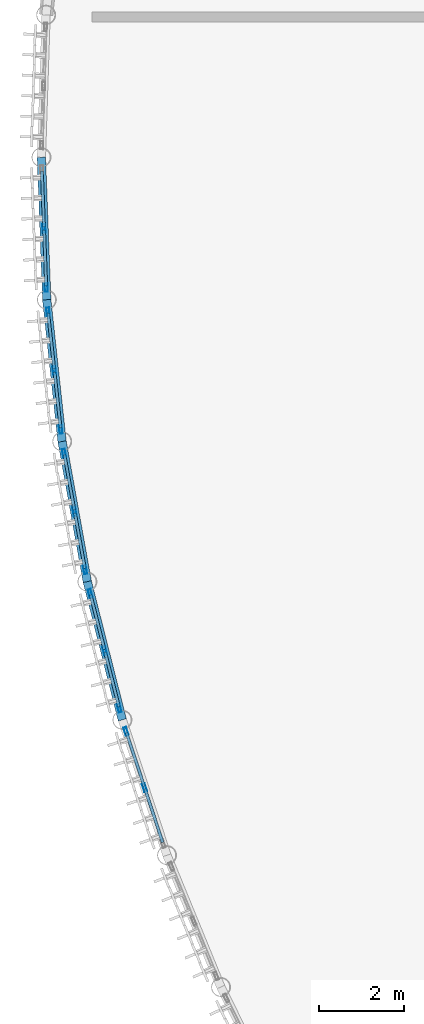
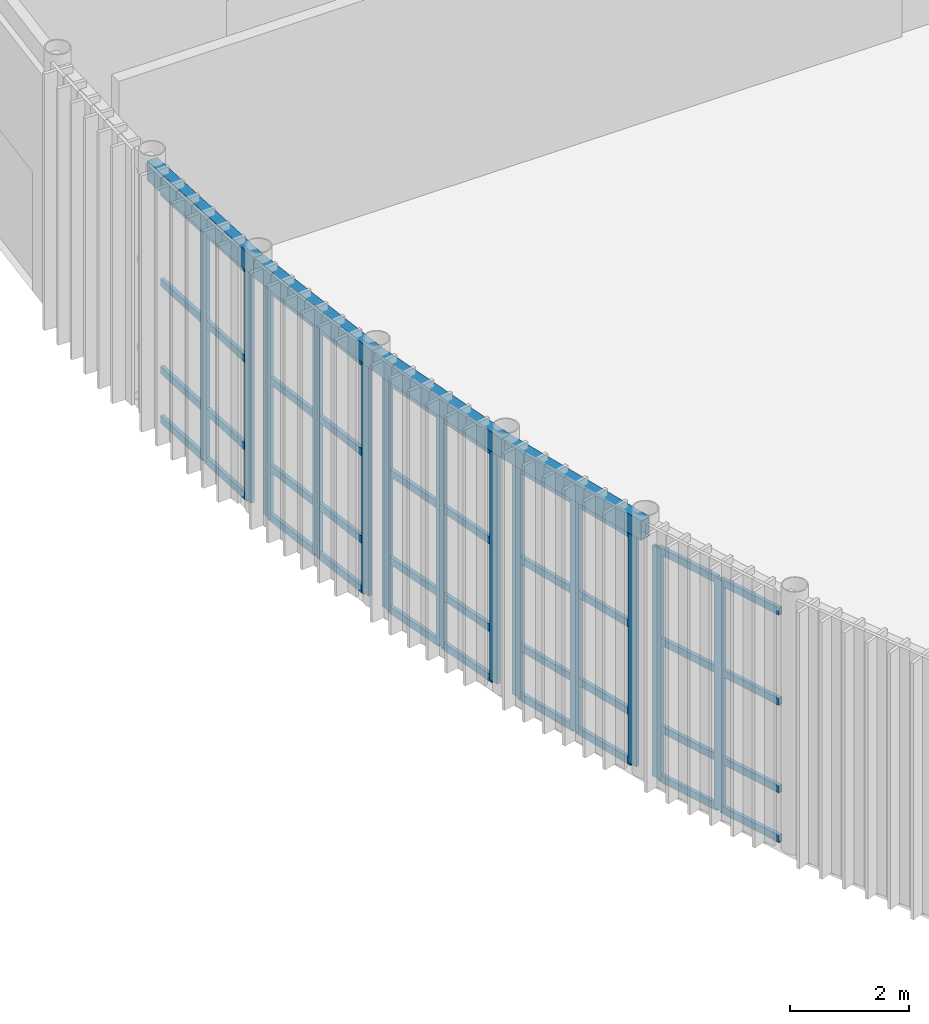
# One storey, part 31 of 87: 53 members, 4 beams, 5 elements without a shape of their own.
"""IFC4 building model written with IfcOpenShell, lengths in metres."""

from ifc_helpers import new_model, si_unit, direction, frame, origin, origin_2d, place, context, subcontext, project, spatial, hollow_rectangle, extrude, material, layer, layer_set, material_profile, profile_set, type_object, element, aggregate, save


model = new_model("IFC4")

# Units and contexts
model_context = context("Model", 3, precision=1e-05, world=origin(), true_north=direction((0.0, 1.0)))
body_context = subcontext(model_context, "Body", "Model", "MODEL_VIEW")
ifc_project = project(units=[si_unit("LENGTHUNIT", "METRE"), si_unit("AREAUNIT", "SQUARE_METRE"), si_unit("VOLUMEUNIT", "CUBIC_METRE"), si_unit("PLANEANGLEUNIT", "RADIAN"), si_unit("MASSUNIT", "GRAM", prefix="KILO")], contexts=[model_context])

# Site, building, storey
site_placement = place(None, origin())
site = spatial("IfcSite", under=ifc_project, at=site_placement, CompositionType="ELEMENT")
building_placement = place(site_placement, origin())
building = spatial("IfcBuilding", under=site, at=building_placement, Name="Selat Folded Stagehouse", CompositionType="ELEMENT")
storey_placement = place(building_placement, origin())
storey = spatial("IfcBuildingStorey", under=building, at=storey_placement, Name="L00", CompositionType="ELEMENT", Elevation=0.0)

# Curtain wall, members
ifc_material_1 = material(Name="Aluminium 6063-T6", Category="aluminium")
ifc_layer = layer(ifc_material_1, 0.219970703125)
ifc_layer_set = layer_set([ifc_layer], Name="Aluminium 6063-T6")
curtain_wall_type = type_object("IfcCurtainWallType", Name="CW-DRM-HIGH", PredefinedType="NOTDEFINED", material=ifc_layer_set)
curtain_wall_1_placement = place(storey_placement, origin())
curtain_wall_1 = element("IfcCurtainWall", 1, at=curtain_wall_1_placement, inside=storey, type_object=curtain_wall_type, Name="L00 curtain wall CW-DRM-L00-02", PredefinedType="NOTDEFINED")
ifc_material_profile_1 = material_profile(ifc_material_1, hollow_rectangle(XDim=0.070068359375, YDim=0.199951171875, WallThickness=0.0048828125, at=origin_2d()), Name="ALU 200x70x5.0")
ifc_profile_set_1 = profile_set([ifc_material_profile_1], Name="Aluminium 6063-T6")
member_type_1 = type_object("IfcMemberType", Name="CWM-MUL-200x70", PredefinedType="MULLION", material=ifc_profile_set_1)
member_1_placement = place(storey_placement, frame((0.115966796875, 44.7998046875, 0.0), z_axis=(0.0, 0.0, 1.0), x_axis=(-0.999293858167, -0.037573727908, 0.0)))
member_1 = element("IfcMember", 2, at=member_1_placement, type_object=member_type_1, Name="CW-01 mullion 1", PredefinedType="MULLION", context=body_context, shape_type="SweptSolid", body=[
    extrude(hollow_rectangle(XDim=0.070068359375, YDim=0.199951171875, WallThickness=0.0048828125, at=origin_2d()), origin(), (0.0, 0.0, 1.0), 4.739990234375),
])
member_2_placement = place(storey_placement, frame((0.0634765625, 46.1982421875, 0.0), z_axis=(0.0, 0.0, 1.0), x_axis=(-0.999293858167, -0.037573727908, 0.0)))
member_2 = element("IfcMember", 3, at=member_2_placement, type_object=member_type_1, Name="CW-01 mullion 2", PredefinedType="MULLION", context=body_context, shape_type="SweptSolid", body=[
    extrude(hollow_rectangle(XDim=0.070068359375, YDim=0.199951171875, WallThickness=0.0048828125, at=origin_2d()), origin(), (0.0, 0.0, 1.0), 4.739990234375),
])

curtain_wall_2_placement = place(storey_placement, origin())
curtain_wall_2 = element("IfcCurtainWall", 4, at=curtain_wall_2_placement, inside=storey, type_object=curtain_wall_type, Name="L00 curtain wall CW-DRM-L00-03", PredefinedType="NOTDEFINED")
member_3_placement = place(storey_placement, frame((0.45849609375, 41.44873046875, 0.0), z_axis=(0.0, 0.0, 1.0), x_axis=(-0.994198790497, -0.107558193428, 0.0)))
member_3 = element("IfcMember", 5, at=member_3_placement, type_object=member_type_1, Name="CW-01 mullion 1", PredefinedType="MULLION", context=body_context, shape_type="SweptSolid", body=[
    extrude(hollow_rectangle(XDim=0.070068359375, YDim=0.199951171875, WallThickness=0.0048828125, at=origin_2d()), origin(), (0.0, 0.0, 1.0), 4.739990234375),
])
member_4_placement = place(storey_placement, frame((0.307861328125, 42.84033203125, 0.0), z_axis=(0.0, 0.0, 1.0), x_axis=(-0.994198790497, -0.107558193428, 0.0)))
member_4 = element("IfcMember", 6, at=member_4_placement, type_object=member_type_1, Name="CW-01 mullion 2", PredefinedType="MULLION", context=body_context, shape_type="SweptSolid", body=[
    extrude(hollow_rectangle(XDim=0.070068359375, YDim=0.199951171875, WallThickness=0.0048828125, at=origin_2d()), origin(), (0.0, 0.0, 1.0), 4.739990234375),
])
member_5_placement = place(storey_placement, frame((0.157470703125, 44.231689453125, 0.0), z_axis=(0.0, 0.0, 1.0), x_axis=(-0.994198790497, -0.107558193428, 0.0)))
member_5 = element("IfcMember", 7, at=member_5_placement, type_object=member_type_1, Name="CW-01 mullion 3", PredefinedType="MULLION", context=body_context, shape_type="SweptSolid", body=[
    extrude(hollow_rectangle(XDim=0.070068359375, YDim=0.199951171875, WallThickness=0.0048828125, at=origin_2d()), origin(), (0.0, 0.0, 1.0), 4.739990234375),
])

curtain_wall_3_placement = place(storey_placement, origin())
curtain_wall_3 = element("IfcCurtainWall", 8, at=curtain_wall_3_placement, inside=storey, type_object=curtain_wall_type, Name="L00 curtain wall CW-DRM-L00-04", PredefinedType="NOTDEFINED")
member_6_placement = place(storey_placement, frame((1.034912109375, 38.130126953125, 0.0), z_axis=(0.0, 0.0, 1.0), x_axis=(-0.984210538572, -0.177001739435, 0.0)))
member_6 = element("IfcMember", 9, at=member_6_placement, type_object=member_type_1, Name="CW-01 mullion 1", PredefinedType="MULLION", context=body_context, shape_type="SweptSolid", body=[
    extrude(hollow_rectangle(XDim=0.070068359375, YDim=0.199951171875, WallThickness=0.0048828125, at=origin_2d()), origin(), (0.0, 0.0, 1.0), 4.739990234375),
])
member_7_placement = place(storey_placement, frame((0.787353515625, 39.507568359375, 0.0), z_axis=(0.0, 0.0, 1.0), x_axis=(-0.984210538572, -0.177001739435, 0.0)))
member_7 = element("IfcMember", 10, at=member_7_placement, type_object=member_type_1, Name="CW-01 mullion 2", PredefinedType="MULLION", context=body_context, shape_type="SweptSolid", body=[
    extrude(hollow_rectangle(XDim=0.070068359375, YDim=0.199951171875, WallThickness=0.0048828125, at=origin_2d()), origin(), (0.0, 0.0, 1.0), 4.739990234375),
])
member_8_placement = place(storey_placement, frame((0.53955078125, 40.885009765625, 0.0), z_axis=(0.0, 0.0, 1.0), x_axis=(-0.984210538572, -0.177001739435, 0.0)))
member_8 = element("IfcMember", 11, at=member_8_placement, type_object=member_type_1, Name="CW-01 mullion 3", PredefinedType="MULLION", context=body_context, shape_type="SweptSolid", body=[
    extrude(hollow_rectangle(XDim=0.070068359375, YDim=0.199951171875, WallThickness=0.0048828125, at=origin_2d()), origin(), (0.0, 0.0, 1.0), 4.739990234375),
])

curtain_wall_4_placement = place(storey_placement, origin())
curtain_wall_4 = element("IfcCurtainWall", 12, at=curtain_wall_4_placement, inside=storey, type_object=curtain_wall_type, Name="L00 curtain wall CW-DRM-L00-05", PredefinedType="NOTDEFINED")
member_9_placement = place(storey_placement, frame((1.843017578125, 34.860107421875, 0.0), z_axis=(0.0, 0.0, 1.0), x_axis=(-0.969366705351, -0.24561797686, 0.0)))
member_9 = element("IfcMember", 13, at=member_9_placement, type_object=member_type_1, Name="CW-01 mullion 1", PredefinedType="MULLION", context=body_context, shape_type="SweptSolid", body=[
    extrude(hollow_rectangle(XDim=0.070068359375, YDim=0.199951171875, WallThickness=0.0048828125, at=origin_2d()), origin(), (0.0, 0.0, 1.0), 4.739990234375),
])
member_10_placement = place(storey_placement, frame((1.499267578125, 36.216796875, 0.0), z_axis=(0.0, 0.0, 1.0), x_axis=(-0.969366705351, -0.24561797686, 0.0)))
member_10 = element("IfcMember", 14, at=member_10_placement, type_object=member_type_1, Name="CW-01 mullion 2", PredefinedType="MULLION", context=body_context, shape_type="SweptSolid", body=[
    extrude(hollow_rectangle(XDim=0.070068359375, YDim=0.199951171875, WallThickness=0.0048828125, at=origin_2d()), origin(), (0.0, 0.0, 1.0), 4.739990234375),
])
member_11_placement = place(storey_placement, frame((1.155517578125, 37.573486328125, 0.0), z_axis=(0.0, 0.0, 1.0), x_axis=(-0.969366705351, -0.24561797686, 0.0)))
member_11 = element("IfcMember", 15, at=member_11_placement, type_object=member_type_1, Name="CW-01 mullion 3", PredefinedType="MULLION", context=body_context, shape_type="SweptSolid", body=[
    extrude(hollow_rectangle(XDim=0.070068359375, YDim=0.199951171875, WallThickness=0.0048828125, at=origin_2d()), origin(), (0.0, 0.0, 1.0), 4.739990234375),
])

curtain_wall_5_placement = place(storey_placement, origin())
curtain_wall_5 = element("IfcCurtainWall", 16, at=curtain_wall_5_placement, inside=storey, type_object=curtain_wall_type, Name="L00 curtain wall CW-DRM-L00-06", PredefinedType="NOTDEFINED")
member_12_placement = place(storey_placement, frame((2.440185546875, 32.984130859375, 0.0), z_axis=(0.0, 0.0, 1.0), x_axis=(-0.949754805107, -0.312994904395, 0.0)))
member_12 = element("IfcMember", 17, at=member_12_placement, type_object=member_type_1, Name="CW-01 mullion 2", PredefinedType="MULLION", context=body_context, shape_type="SweptSolid", body=[
    extrude(hollow_rectangle(XDim=0.070068359375, YDim=0.199951171875, WallThickness=0.0048828125, at=origin_2d()), origin(), (0.0, 0.0, 1.0), 4.739990234375),
])
member_13_placement = place(storey_placement, frame((2.002197265625, 34.313232421875, 0.0), z_axis=(0.0, 0.0, 1.0), x_axis=(-0.949754805107, -0.312994904395, 0.0)))
member_13 = element("IfcMember", 18, at=member_13_placement, type_object=member_type_1, Name="CW-01 mullion 3", PredefinedType="MULLION", context=body_context, shape_type="SweptSolid", body=[
    extrude(hollow_rectangle(XDim=0.070068359375, YDim=0.199951171875, WallThickness=0.0048828125, at=origin_2d()), origin(), (0.0, 0.0, 1.0), 4.739990234375),
])

# Member
ifc_material_profile_2 = material_profile(ifc_material_1, hollow_rectangle(XDim=0.070068359375, YDim=0.14990234375, WallThickness=0.00390625, at=origin_2d()), Name="ALU 150x70x4.0")
ifc_profile_set_2 = profile_set([ifc_material_profile_2], Name="Aluminium 6063-T6")
member_type_2 = type_object("IfcMemberType", Name="CWM-TRN-150x70", PredefinedType="USERDEFINED", material=ifc_profile_set_2)
member_14_placement = place(storey_placement, frame((0.11474609375, 44.834716796875, 0.034912109375), z_axis=(-0.037643275331, 0.999291240741, 0.0), x_axis=(-0.999291240741, -0.037643275331, 0.0)))
member_14 = element("IfcMember", 19, at=member_14_placement, type_object=member_type_2, Name="CW-01 transom 1.1", ObjectType="TRANSOM", PredefinedType="USERDEFINED", context=body_context, shape_type="SweptSolid", body=[
    extrude(hollow_rectangle(XDim=0.070068359375, YDim=0.14990234375, WallThickness=0.00390625, at=origin_2d()), origin(), (0.0, 0.0, 1.0), 1.32958984375),
])

member_15_placement = place(storey_placement, frame((0.11474609375, 44.834716796875, 1.050048828125), z_axis=(-0.037643275331, 0.999291240741, 0.0), x_axis=(-0.999291240741, -0.037643275331, 0.0)))
member_15 = element("IfcMember", 20, at=member_15_placement, type_object=member_type_2, Name="CW-01 transom 1.2", ObjectType="TRANSOM", PredefinedType="USERDEFINED", context=body_context, shape_type="SweptSolid", body=[
    extrude(hollow_rectangle(XDim=0.070068359375, YDim=0.14990234375, WallThickness=0.00390625, at=origin_2d()), origin(), (0.0, 0.0, 1.0), 1.32958984375),
])

member_16_placement = place(storey_placement, frame((0.11474609375, 44.834716796875, 2.85009765625), z_axis=(-0.037643275331, 0.999291240741, 0.0), x_axis=(-0.999291240741, -0.037643275331, 0.0)))
member_16 = element("IfcMember", 21, at=member_16_placement, type_object=member_type_2, Name="CW-01 transom 1.3", ObjectType="TRANSOM", PredefinedType="USERDEFINED", context=body_context, shape_type="SweptSolid", body=[
    extrude(hollow_rectangle(XDim=0.070068359375, YDim=0.14990234375, WallThickness=0.00390625, at=origin_2d()), origin(), (0.0, 0.0, 1.0), 1.32958984375),
])

member_17_placement = place(storey_placement, frame((0.11474609375, 44.834716796875, 4.705078125), z_axis=(-0.037643275331, 0.999291240741, 0.0), x_axis=(-0.999291240741, -0.037643275331, 0.0)))
member_17 = element("IfcMember", 22, at=member_17_placement, type_object=member_type_2, Name="CW-01 transom 1.4", ObjectType="TRANSOM", PredefinedType="USERDEFINED", context=body_context, shape_type="SweptSolid", body=[
    extrude(hollow_rectangle(XDim=0.070068359375, YDim=0.14990234375, WallThickness=0.00390625, at=origin_2d()), origin(), (0.0, 0.0, 1.0), 1.32958984375),
])

member_18_placement = place(storey_placement, frame((0.06201171875, 46.233154296875, 0.034912109375), z_axis=(-0.0374599079, 0.99929813134, 0.0), x_axis=(-0.99929813134, -0.0374599079, 0.0)))
member_18 = element("IfcMember", 23, at=member_18_placement, type_object=member_type_2, Name="CW-01 transom 2.1", ObjectType="TRANSOM", PredefinedType="USERDEFINED", context=body_context, shape_type="SweptSolid", body=[
    extrude(hollow_rectangle(XDim=0.070068359375, YDim=0.14990234375, WallThickness=0.00390625, at=origin_2d()), origin(), (0.0, 0.0, 1.0), 1.32958984375),
])

member_19_placement = place(storey_placement, frame((0.06201171875, 46.233154296875, 1.050048828125), z_axis=(-0.0374599079, 0.99929813134, 0.0), x_axis=(-0.99929813134, -0.0374599079, 0.0)))
member_19 = element("IfcMember", 24, at=member_19_placement, type_object=member_type_2, Name="CW-01 transom 2.2", ObjectType="TRANSOM", PredefinedType="USERDEFINED", context=body_context, shape_type="SweptSolid", body=[
    extrude(hollow_rectangle(XDim=0.070068359375, YDim=0.14990234375, WallThickness=0.00390625, at=origin_2d()), origin(), (0.0, 0.0, 1.0), 1.32958984375),
])

member_20_placement = place(storey_placement, frame((0.06201171875, 46.233154296875, 2.85009765625), z_axis=(-0.0374599079, 0.99929813134, 0.0), x_axis=(-0.99929813134, -0.0374599079, 0.0)))
member_20 = element("IfcMember", 25, at=member_20_placement, type_object=member_type_2, Name="CW-01 transom 2.3", ObjectType="TRANSOM", PredefinedType="USERDEFINED", context=body_context, shape_type="SweptSolid", body=[
    extrude(hollow_rectangle(XDim=0.070068359375, YDim=0.14990234375, WallThickness=0.00390625, at=origin_2d()), origin(), (0.0, 0.0, 1.0), 1.32958984375),
])

member_21_placement = place(storey_placement, frame((0.06201171875, 46.233154296875, 4.705078125), z_axis=(-0.0374599079, 0.99929813134, 0.0), x_axis=(-0.99929813134, -0.0374599079, 0.0)))
member_21 = element("IfcMember", 26, at=member_21_placement, type_object=member_type_2, Name="CW-01 transom 2.4", ObjectType="TRANSOM", PredefinedType="USERDEFINED", context=body_context, shape_type="SweptSolid", body=[
    extrude(hollow_rectangle(XDim=0.070068359375, YDim=0.14990234375, WallThickness=0.00390625, at=origin_2d()), origin(), (0.0, 0.0, 1.0), 1.32958984375),
])

aggregate(curtain_wall_1, [member_1, member_2, member_14, member_15, member_16, member_17, member_18, member_19, member_20, member_21])

member_22_placement = place(storey_placement, frame((0.45458984375, 41.483642578125, 0.034912109375), z_axis=(-0.107427878618, 0.994212880069, 0.0), x_axis=(-0.994212880069, -0.107427878618, 0.0)))
member_22 = element("IfcMember", 27, at=member_22_placement, type_object=member_type_2, Name="CW-01 transom 1.1", ObjectType="TRANSOM", PredefinedType="USERDEFINED", context=body_context, shape_type="SweptSolid", body=[
    extrude(hollow_rectangle(XDim=0.070068359375, YDim=0.14990234375, WallThickness=0.00390625, at=origin_2d()), origin(), (0.0, 0.0, 1.0), 1.32958984375),
])

member_23_placement = place(storey_placement, frame((0.45458984375, 41.483642578125, 1.050048828125), z_axis=(-0.107427878618, 0.994212880069, 0.0), x_axis=(-0.994212880069, -0.107427878618, 0.0)))
member_23 = element("IfcMember", 28, at=member_23_placement, type_object=member_type_2, Name="CW-01 transom 1.2", ObjectType="TRANSOM", PredefinedType="USERDEFINED", context=body_context, shape_type="SweptSolid", body=[
    extrude(hollow_rectangle(XDim=0.070068359375, YDim=0.14990234375, WallThickness=0.00390625, at=origin_2d()), origin(), (0.0, 0.0, 1.0), 1.32958984375),
])

member_24_placement = place(storey_placement, frame((0.45458984375, 41.483642578125, 2.85009765625), z_axis=(-0.107427878618, 0.994212880069, 0.0), x_axis=(-0.994212880069, -0.107427878618, 0.0)))
member_24 = element("IfcMember", 29, at=member_24_placement, type_object=member_type_2, Name="CW-01 transom 1.3", ObjectType="TRANSOM", PredefinedType="USERDEFINED", context=body_context, shape_type="SweptSolid", body=[
    extrude(hollow_rectangle(XDim=0.070068359375, YDim=0.14990234375, WallThickness=0.00390625, at=origin_2d()), origin(), (0.0, 0.0, 1.0), 1.32958984375),
])

member_25_placement = place(storey_placement, frame((0.45458984375, 41.483642578125, 4.705078125), z_axis=(-0.107427878618, 0.994212880069, 0.0), x_axis=(-0.994212880069, -0.107427878618, 0.0)))
member_25 = element("IfcMember", 30, at=member_25_placement, type_object=member_type_2, Name="CW-01 transom 1.4", ObjectType="TRANSOM", PredefinedType="USERDEFINED", context=body_context, shape_type="SweptSolid", body=[
    extrude(hollow_rectangle(XDim=0.070068359375, YDim=0.14990234375, WallThickness=0.00390625, at=origin_2d()), origin(), (0.0, 0.0, 1.0), 1.32958984375),
])

member_26_placement = place(storey_placement, frame((0.30419921875, 42.875, 0.034912109375), z_axis=(-0.107589748922, 0.994195376134, 0.0), x_axis=(-0.994195376134, -0.107589748922, 0.0)))
member_26 = element("IfcMember", 31, at=member_26_placement, type_object=member_type_2, Name="CW-01 transom 2.1", ObjectType="TRANSOM", PredefinedType="USERDEFINED", context=body_context, shape_type="SweptSolid", body=[
    extrude(hollow_rectangle(XDim=0.070068359375, YDim=0.14990234375, WallThickness=0.00390625, at=origin_2d()), origin(), (0.0, 0.0, 1.0), 1.329833984375),
])

member_27_placement = place(storey_placement, frame((0.30419921875, 42.875, 1.050048828125), z_axis=(-0.107589748922, 0.994195376134, 0.0), x_axis=(-0.994195376134, -0.107589748922, 0.0)))
member_27 = element("IfcMember", 32, at=member_27_placement, type_object=member_type_2, Name="CW-01 transom 2.2", ObjectType="TRANSOM", PredefinedType="USERDEFINED", context=body_context, shape_type="SweptSolid", body=[
    extrude(hollow_rectangle(XDim=0.070068359375, YDim=0.14990234375, WallThickness=0.00390625, at=origin_2d()), origin(), (0.0, 0.0, 1.0), 1.329833984375),
])

member_28_placement = place(storey_placement, frame((0.30419921875, 42.875, 2.85009765625), z_axis=(-0.107589748922, 0.994195376134, 0.0), x_axis=(-0.994195376134, -0.107589748922, 0.0)))
member_28 = element("IfcMember", 33, at=member_28_placement, type_object=member_type_2, Name="CW-01 transom 2.3", ObjectType="TRANSOM", PredefinedType="USERDEFINED", context=body_context, shape_type="SweptSolid", body=[
    extrude(hollow_rectangle(XDim=0.070068359375, YDim=0.14990234375, WallThickness=0.00390625, at=origin_2d()), origin(), (0.0, 0.0, 1.0), 1.329833984375),
])

member_29_placement = place(storey_placement, frame((0.30419921875, 42.875, 4.705078125), z_axis=(-0.107589748922, 0.994195376134, 0.0), x_axis=(-0.994195376134, -0.107589748922, 0.0)))
member_29 = element("IfcMember", 34, at=member_29_placement, type_object=member_type_2, Name="CW-01 transom 2.4", ObjectType="TRANSOM", PredefinedType="USERDEFINED", context=body_context, shape_type="SweptSolid", body=[
    extrude(hollow_rectangle(XDim=0.070068359375, YDim=0.14990234375, WallThickness=0.00390625, at=origin_2d()), origin(), (0.0, 0.0, 1.0), 1.329833984375),
])

aggregate(curtain_wall_2, [member_3, member_4, member_5, member_22, member_23, member_24, member_25, member_26, member_27, member_28, member_29])

member_30_placement = place(storey_placement, frame((1.02880859375, 38.164794921875, 0.034912109375), z_axis=(-0.177042705029, 0.984203170385, 0.0), x_axis=(-0.984203170385, -0.177042705029, 0.0)))
member_30 = element("IfcMember", 35, at=member_30_placement, type_object=member_type_2, Name="CW-01 transom 1.1", ObjectType="TRANSOM", PredefinedType="USERDEFINED", context=body_context, shape_type="SweptSolid", body=[
    extrude(hollow_rectangle(XDim=0.070068359375, YDim=0.14990234375, WallThickness=0.00390625, at=origin_2d()), origin(), (0.0, 0.0, 1.0), 1.329345703125),
])

member_31_placement = place(storey_placement, frame((1.02880859375, 38.164794921875, 1.050048828125), z_axis=(-0.177042705029, 0.984203170385, 0.0), x_axis=(-0.984203170385, -0.177042705029, 0.0)))
member_31 = element("IfcMember", 36, at=member_31_placement, type_object=member_type_2, Name="CW-01 transom 1.2", ObjectType="TRANSOM", PredefinedType="USERDEFINED", context=body_context, shape_type="SweptSolid", body=[
    extrude(hollow_rectangle(XDim=0.070068359375, YDim=0.14990234375, WallThickness=0.00390625, at=origin_2d()), origin(), (0.0, 0.0, 1.0), 1.329345703125),
])

member_32_placement = place(storey_placement, frame((1.02880859375, 38.164794921875, 2.85009765625), z_axis=(-0.177042705029, 0.984203170385, 0.0), x_axis=(-0.984203170385, -0.177042705029, 0.0)))
member_32 = element("IfcMember", 37, at=member_32_placement, type_object=member_type_2, Name="CW-01 transom 1.3", ObjectType="TRANSOM", PredefinedType="USERDEFINED", context=body_context, shape_type="SweptSolid", body=[
    extrude(hollow_rectangle(XDim=0.070068359375, YDim=0.14990234375, WallThickness=0.00390625, at=origin_2d()), origin(), (0.0, 0.0, 1.0), 1.329345703125),
])

member_33_placement = place(storey_placement, frame((1.02880859375, 38.164794921875, 4.705078125), z_axis=(-0.177042705029, 0.984203170385, 0.0), x_axis=(-0.984203170385, -0.177042705029, 0.0)))
member_33 = element("IfcMember", 38, at=member_33_placement, type_object=member_type_2, Name="CW-01 transom 1.4", ObjectType="TRANSOM", PredefinedType="USERDEFINED", context=body_context, shape_type="SweptSolid", body=[
    extrude(hollow_rectangle(XDim=0.070068359375, YDim=0.14990234375, WallThickness=0.00390625, at=origin_2d()), origin(), (0.0, 0.0, 1.0), 1.329345703125),
])

member_34_placement = place(storey_placement, frame((0.781005859375, 39.5419921875, 0.034912109375), z_axis=(-0.176832833324, 0.984240899912, 0.0), x_axis=(-0.984240899912, -0.176832833324, 0.0)))
member_34 = element("IfcMember", 39, at=member_34_placement, type_object=member_type_2, Name="CW-01 transom 2.1", ObjectType="TRANSOM", PredefinedType="USERDEFINED", context=body_context, shape_type="SweptSolid", body=[
    extrude(hollow_rectangle(XDim=0.070068359375, YDim=0.14990234375, WallThickness=0.00390625, at=origin_2d()), origin(), (0.0, 0.0, 1.0), 1.32958984375),
])

member_35_placement = place(storey_placement, frame((0.781005859375, 39.5419921875, 1.050048828125), z_axis=(-0.176832833324, 0.984240899912, 0.0), x_axis=(-0.984240899912, -0.176832833324, 0.0)))
member_35 = element("IfcMember", 40, at=member_35_placement, type_object=member_type_2, Name="CW-01 transom 2.2", ObjectType="TRANSOM", PredefinedType="USERDEFINED", context=body_context, shape_type="SweptSolid", body=[
    extrude(hollow_rectangle(XDim=0.070068359375, YDim=0.14990234375, WallThickness=0.00390625, at=origin_2d()), origin(), (0.0, 0.0, 1.0), 1.32958984375),
])

member_36_placement = place(storey_placement, frame((0.781005859375, 39.5419921875, 2.85009765625), z_axis=(-0.176832833324, 0.984240899912, 0.0), x_axis=(-0.984240899912, -0.176832833324, 0.0)))
member_36 = element("IfcMember", 41, at=member_36_placement, type_object=member_type_2, Name="CW-01 transom 2.3", ObjectType="TRANSOM", PredefinedType="USERDEFINED", context=body_context, shape_type="SweptSolid", body=[
    extrude(hollow_rectangle(XDim=0.070068359375, YDim=0.14990234375, WallThickness=0.00390625, at=origin_2d()), origin(), (0.0, 0.0, 1.0), 1.32958984375),
])

member_37_placement = place(storey_placement, frame((0.781005859375, 39.5419921875, 4.705078125), z_axis=(-0.176832833324, 0.984240899912, 0.0), x_axis=(-0.984240899912, -0.176832833324, 0.0)))
member_37 = element("IfcMember", 42, at=member_37_placement, type_object=member_type_2, Name="CW-01 transom 2.4", ObjectType="TRANSOM", PredefinedType="USERDEFINED", context=body_context, shape_type="SweptSolid", body=[
    extrude(hollow_rectangle(XDim=0.070068359375, YDim=0.14990234375, WallThickness=0.00390625, at=origin_2d()), origin(), (0.0, 0.0, 1.0), 1.32958984375),
])

aggregate(curtain_wall_3, [member_6, member_7, member_8, member_30, member_31, member_32, member_33, member_34, member_35, member_36, member_37])

member_38_placement = place(storey_placement, frame((1.83447265625, 34.89404296875, 0.034912109375), z_axis=(-0.245688348294, 0.96934887193, 0.0), x_axis=(-0.96934887193, -0.245688348294, 0.0)))
member_38 = element("IfcMember", 43, at=member_38_placement, type_object=member_type_2, Name="CW-01 transom 1.1", ObjectType="TRANSOM", PredefinedType="USERDEFINED", context=body_context, shape_type="SweptSolid", body=[
    extrude(hollow_rectangle(XDim=0.070068359375, YDim=0.14990234375, WallThickness=0.00390625, at=origin_2d()), origin(), (0.0, 0.0, 1.0), 1.32958984375),
])

member_39_placement = place(storey_placement, frame((1.83447265625, 34.89404296875, 1.050048828125), z_axis=(-0.245688348294, 0.96934887193, 0.0), x_axis=(-0.96934887193, -0.245688348294, 0.0)))
member_39 = element("IfcMember", 44, at=member_39_placement, type_object=member_type_2, Name="CW-01 transom 1.2", ObjectType="TRANSOM", PredefinedType="USERDEFINED", context=body_context, shape_type="SweptSolid", body=[
    extrude(hollow_rectangle(XDim=0.070068359375, YDim=0.14990234375, WallThickness=0.00390625, at=origin_2d()), origin(), (0.0, 0.0, 1.0), 1.32958984375),
])

member_40_placement = place(storey_placement, frame((1.83447265625, 34.89404296875, 2.85009765625), z_axis=(-0.245688348294, 0.96934887193, 0.0), x_axis=(-0.96934887193, -0.245688348294, 0.0)))
member_40 = element("IfcMember", 45, at=member_40_placement, type_object=member_type_2, Name="CW-01 transom 1.3", ObjectType="TRANSOM", PredefinedType="USERDEFINED", context=body_context, shape_type="SweptSolid", body=[
    extrude(hollow_rectangle(XDim=0.070068359375, YDim=0.14990234375, WallThickness=0.00390625, at=origin_2d()), origin(), (0.0, 0.0, 1.0), 1.32958984375),
])

member_41_placement = place(storey_placement, frame((1.83447265625, 34.89404296875, 4.705078125), z_axis=(-0.245688348294, 0.96934887193, 0.0), x_axis=(-0.96934887193, -0.245688348294, 0.0)))
member_41 = element("IfcMember", 46, at=member_41_placement, type_object=member_type_2, Name="CW-01 transom 1.4", ObjectType="TRANSOM", PredefinedType="USERDEFINED", context=body_context, shape_type="SweptSolid", body=[
    extrude(hollow_rectangle(XDim=0.070068359375, YDim=0.14990234375, WallThickness=0.00390625, at=origin_2d()), origin(), (0.0, 0.0, 1.0), 1.32958984375),
])

member_42_placement = place(storey_placement, frame((1.49072265625, 36.250732421875, 0.034912109375), z_axis=(-0.245688348294, 0.96934887193, 0.0), x_axis=(-0.96934887193, -0.245688348294, 0.0)))
member_42 = element("IfcMember", 47, at=member_42_placement, type_object=member_type_2, Name="CW-01 transom 2.1", ObjectType="TRANSOM", PredefinedType="USERDEFINED", context=body_context, shape_type="SweptSolid", body=[
    extrude(hollow_rectangle(XDim=0.070068359375, YDim=0.14990234375, WallThickness=0.00390625, at=origin_2d()), origin(), (0.0, 0.0, 1.0), 1.32958984375),
])

member_43_placement = place(storey_placement, frame((1.49072265625, 36.250732421875, 1.050048828125), z_axis=(-0.245688348294, 0.96934887193, 0.0), x_axis=(-0.96934887193, -0.245688348294, 0.0)))
member_43 = element("IfcMember", 48, at=member_43_placement, type_object=member_type_2, Name="CW-01 transom 2.2", ObjectType="TRANSOM", PredefinedType="USERDEFINED", context=body_context, shape_type="SweptSolid", body=[
    extrude(hollow_rectangle(XDim=0.070068359375, YDim=0.14990234375, WallThickness=0.00390625, at=origin_2d()), origin(), (0.0, 0.0, 1.0), 1.32958984375),
])

member_44_placement = place(storey_placement, frame((1.49072265625, 36.250732421875, 2.85009765625), z_axis=(-0.245688348294, 0.96934887193, 0.0), x_axis=(-0.96934887193, -0.245688348294, 0.0)))
member_44 = element("IfcMember", 49, at=member_44_placement, type_object=member_type_2, Name="CW-01 transom 2.3", ObjectType="TRANSOM", PredefinedType="USERDEFINED", context=body_context, shape_type="SweptSolid", body=[
    extrude(hollow_rectangle(XDim=0.070068359375, YDim=0.14990234375, WallThickness=0.00390625, at=origin_2d()), origin(), (0.0, 0.0, 1.0), 1.32958984375),
])

member_45_placement = place(storey_placement, frame((1.49072265625, 36.250732421875, 4.705078125), z_axis=(-0.245688348294, 0.96934887193, 0.0), x_axis=(-0.96934887193, -0.245688348294, 0.0)))
member_45 = element("IfcMember", 50, at=member_45_placement, type_object=member_type_2, Name="CW-01 transom 2.4", ObjectType="TRANSOM", PredefinedType="USERDEFINED", context=body_context, shape_type="SweptSolid", body=[
    extrude(hollow_rectangle(XDim=0.070068359375, YDim=0.14990234375, WallThickness=0.00390625, at=origin_2d()), origin(), (0.0, 0.0, 1.0), 1.32958984375),
])

aggregate(curtain_wall_4, [member_9, member_10, member_11, member_38, member_39, member_40, member_41, member_42, member_43, member_44, member_45])

member_46_placement = place(storey_placement, frame((2.867431640625, 31.68798828125, 0.034912109375), z_axis=(-0.313031400474, 0.949742776923, 0.0), x_axis=(-0.949742776923, -0.313031400474, 0.0)))
member_46 = element("IfcMember", 51, at=member_46_placement, type_object=member_type_2, Name="CW-01 transom 1.1", ObjectType="TRANSOM", PredefinedType="USERDEFINED", context=body_context, shape_type="SweptSolid", body=[
    extrude(hollow_rectangle(XDim=0.070068359375, YDim=0.14990234375, WallThickness=0.00390625, at=origin_2d()), origin(), (0.0, 0.0, 1.0), 1.329833984375),
])

member_47_placement = place(storey_placement, frame((2.867431640625, 31.68798828125, 1.050048828125), z_axis=(-0.313031400474, 0.949742776923, 0.0), x_axis=(-0.949742776923, -0.313031400474, 0.0)))
member_47 = element("IfcMember", 52, at=member_47_placement, type_object=member_type_2, Name="CW-01 transom 1.2", ObjectType="TRANSOM", PredefinedType="USERDEFINED", context=body_context, shape_type="SweptSolid", body=[
    extrude(hollow_rectangle(XDim=0.070068359375, YDim=0.14990234375, WallThickness=0.00390625, at=origin_2d()), origin(), (0.0, 0.0, 1.0), 1.329833984375),
])

member_48_placement = place(storey_placement, frame((2.867431640625, 31.68798828125, 2.85009765625), z_axis=(-0.313031400474, 0.949742776923, 0.0), x_axis=(-0.949742776923, -0.313031400474, 0.0)))
member_48 = element("IfcMember", 53, at=member_48_placement, type_object=member_type_2, Name="CW-01 transom 1.3", ObjectType="TRANSOM", PredefinedType="USERDEFINED", context=body_context, shape_type="SweptSolid", body=[
    extrude(hollow_rectangle(XDim=0.070068359375, YDim=0.14990234375, WallThickness=0.00390625, at=origin_2d()), origin(), (0.0, 0.0, 1.0), 1.329833984375),
])

member_49_placement = place(storey_placement, frame((2.867431640625, 31.68798828125, 4.705078125), z_axis=(-0.313031400474, 0.949742776923, 0.0), x_axis=(-0.949742776923, -0.313031400474, 0.0)))
member_49 = element("IfcMember", 54, at=member_49_placement, type_object=member_type_2, Name="CW-01 transom 1.4", ObjectType="TRANSOM", PredefinedType="USERDEFINED", context=body_context, shape_type="SweptSolid", body=[
    extrude(hollow_rectangle(XDim=0.070068359375, YDim=0.14990234375, WallThickness=0.00390625, at=origin_2d()), origin(), (0.0, 0.0, 1.0), 1.329833984375),
])

member_50_placement = place(storey_placement, frame((2.429443359375, 33.017333984375, 0.034912109375), z_axis=(-0.313085992479, 0.949724781878, 0.0), x_axis=(-0.949724781878, -0.313085992479, 0.0)))
member_50 = element("IfcMember", 55, at=member_50_placement, type_object=member_type_2, Name="CW-01 transom 2.1", ObjectType="TRANSOM", PredefinedType="USERDEFINED", context=body_context, shape_type="SweptSolid", body=[
    extrude(hollow_rectangle(XDim=0.070068359375, YDim=0.14990234375, WallThickness=0.00390625, at=origin_2d()), origin(), (0.0, 0.0, 1.0), 1.32958984375),
])

member_51_placement = place(storey_placement, frame((2.429443359375, 33.017333984375, 1.050048828125), z_axis=(-0.313085992479, 0.949724781878, 0.0), x_axis=(-0.949724781878, -0.313085992479, 0.0)))
member_51 = element("IfcMember", 56, at=member_51_placement, type_object=member_type_2, Name="CW-01 transom 2.2", ObjectType="TRANSOM", PredefinedType="USERDEFINED", context=body_context, shape_type="SweptSolid", body=[
    extrude(hollow_rectangle(XDim=0.070068359375, YDim=0.14990234375, WallThickness=0.00390625, at=origin_2d()), origin(), (0.0, 0.0, 1.0), 1.32958984375),
])

member_52_placement = place(storey_placement, frame((2.429443359375, 33.017333984375, 2.85009765625), z_axis=(-0.313085992479, 0.949724781878, 0.0), x_axis=(-0.949724781878, -0.313085992479, 0.0)))
member_52 = element("IfcMember", 57, at=member_52_placement, type_object=member_type_2, Name="CW-01 transom 2.3", ObjectType="TRANSOM", PredefinedType="USERDEFINED", context=body_context, shape_type="SweptSolid", body=[
    extrude(hollow_rectangle(XDim=0.070068359375, YDim=0.14990234375, WallThickness=0.00390625, at=origin_2d()), origin(), (0.0, 0.0, 1.0), 1.32958984375),
])

member_53_placement = place(storey_placement, frame((2.429443359375, 33.017333984375, 4.705078125), z_axis=(-0.313085992479, 0.949724781878, 0.0), x_axis=(-0.949724781878, -0.313085992479, 0.0)))
member_53 = element("IfcMember", 58, at=member_53_placement, type_object=member_type_2, Name="CW-01 transom 2.4", ObjectType="TRANSOM", PredefinedType="USERDEFINED", context=body_context, shape_type="SweptSolid", body=[
    extrude(hollow_rectangle(XDim=0.070068359375, YDim=0.14990234375, WallThickness=0.00390625, at=origin_2d()), origin(), (0.0, 0.0, 1.0), 1.32958984375),
])

aggregate(curtain_wall_5, [member_12, member_13, member_46, member_47, member_48, member_49, member_50, member_51, member_52, member_53])

# Beams
ifc_material_2 = material(Name="Steel S355", Category="steel")
ifc_material_profile_3 = material_profile(ifc_material_2, hollow_rectangle(XDim=0.199951171875, YDim=0.39990234375, WallThickness=0.012451171875, at=origin_2d()), Name="RHS 400x200x12.5")
ifc_profile_set_3 = profile_set([ifc_material_profile_3], Name="Steel S355")
beam_type = type_object("IfcBeamType", Name="SPD-EXT-400x200", PredefinedType="SPANDREL", material=ifc_profile_set_3)
beam_1_placement = place(storey_placement, frame((0.0, 47.881591796875, 4.97998046875), z_axis=(0.03760934134, -0.999292518457, 0.0), x_axis=(0.999292518457, 0.03760934134, 0.0)))
element("IfcBeam", 59, at=beam_1_placement, inside=storey, type_object=beam_type, Name="L00 curved drum spandrel beam 3", PredefinedType="SPANDREL", context=body_context, shape_type="SweptSolid", body=[
    extrude(hollow_rectangle(XDim=0.199951171875, YDim=0.39990234375, WallThickness=0.012451171875, at=origin_2d()), origin(), (0.0, 0.0, 1.0), 3.369140625),
])
beam_2_placement = place(storey_placement, frame((0.126708984375, 44.514892578125, 4.97998046875), z_axis=(0.107543794494, -0.994200348152, 0.0), x_axis=(0.994200348152, 0.107543794494, 0.0)))
element("IfcBeam", 60, at=beam_2_placement, inside=storey, type_object=beam_type, Name="L00 curved drum spandrel beam 4", PredefinedType="SPANDREL", context=body_context, shape_type="SweptSolid", body=[
    extrude(hollow_rectangle(XDim=0.199951171875, YDim=0.39990234375, WallThickness=0.012451171875, at=origin_2d()), origin(), (0.0, 0.0, 1.0), 3.368896484375),
])
beam_3_placement = place(storey_placement, frame((0.489013671875, 41.16552734375, 4.97998046875), z_axis=(0.177029462848, -0.984205552354, 0.0), x_axis=(0.984205552354, 0.177029462848, 0.0)))
element("IfcBeam", 61, at=beam_3_placement, inside=storey, type_object=beam_type, Name="L00 curved drum spandrel beam 5", PredefinedType="SPANDREL", context=body_context, shape_type="SweptSolid", body=[
    extrude(hollow_rectangle(XDim=0.199951171875, YDim=0.39990234375, WallThickness=0.012451171875, at=origin_2d()), origin(), (0.0, 0.0, 1.0), 3.369140625),
])
beam_4_placement = place(storey_placement, frame((1.08544921875, 37.849609375, 4.97998046875), z_axis=(0.245671863024, -0.96935305009, 0.0), x_axis=(0.96935305009, 0.245671863024, 0.0)))
element("IfcBeam", 62, at=beam_4_placement, inside=storey, type_object=beam_type, Name="L00 curved drum spandrel beam 6", PredefinedType="SPANDREL", context=body_context, shape_type="SweptSolid", body=[
    extrude(hollow_rectangle(XDim=0.199951171875, YDim=0.39990234375, WallThickness=0.012451171875, at=origin_2d()), origin(), (0.0, 0.0, 1.0), 3.368896484375),
])

save(model, "model.ifc")
